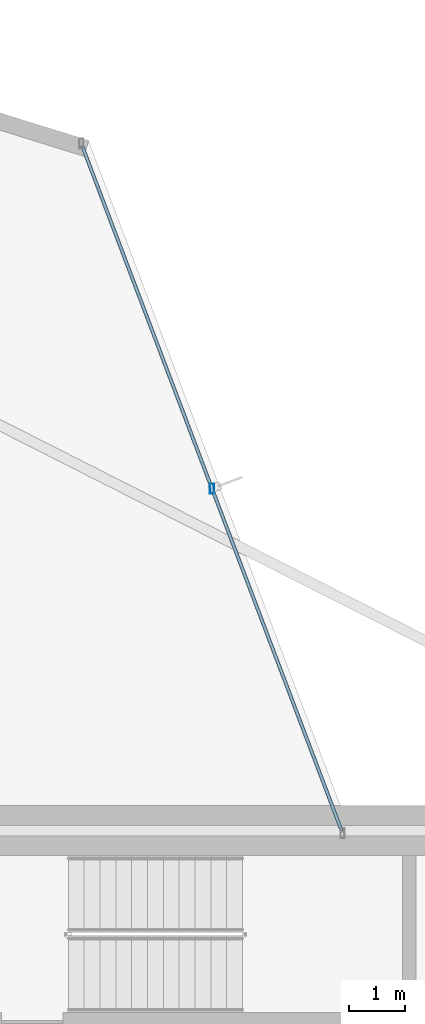
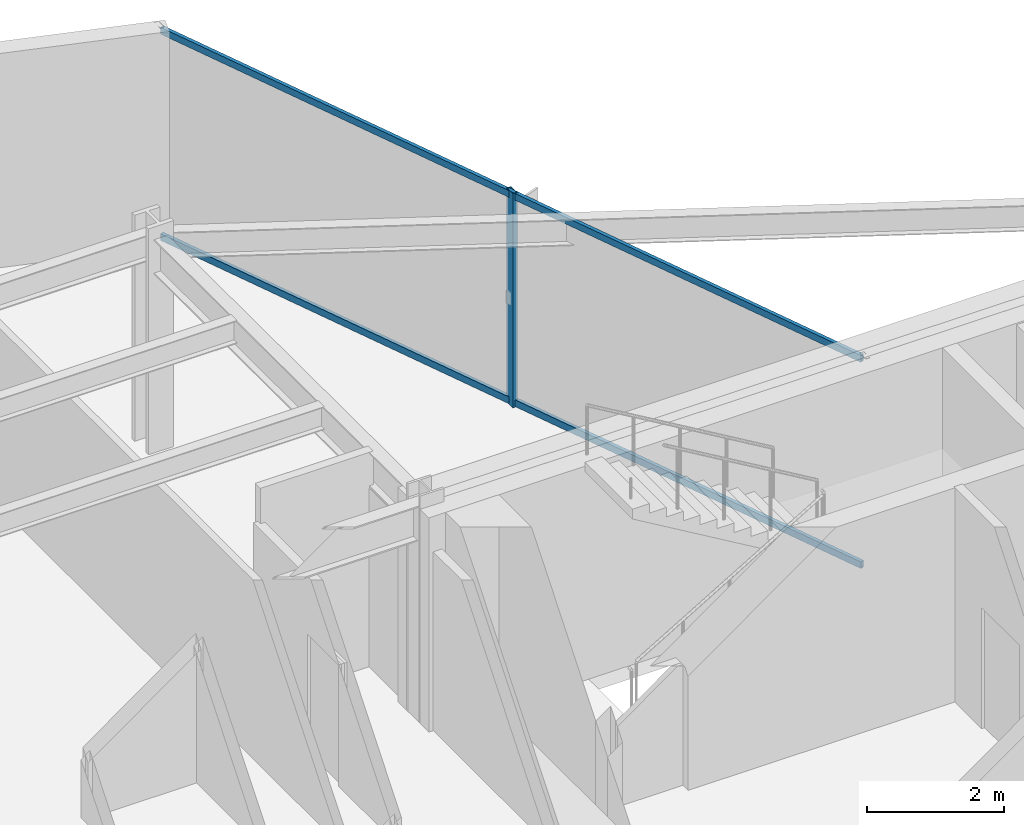
# One storey, part 20 of 29: 3 members, 1 element without a shape of its own.
"""IFC4 building model written with IfcOpenShell, lengths in metres."""

from ifc_helpers import new_model, si_unit, direction, frame, origin, origin_2d, place, context, subcontext, project, spatial, hollow_rectangle, extrude, material, layer, layer_set, material_profile, profile_set, type_object, element, aggregate, save


model = new_model("IFC4")

# Units and contexts
model_context = context("Model", 3, precision=1e-05, world=origin(), true_north=direction((0.0, 1.0)))
body_context = subcontext(model_context, "Body", "Model", "MODEL_VIEW")
ifc_project = project(units=[si_unit("LENGTHUNIT", "METRE"), si_unit("AREAUNIT", "SQUARE_METRE"), si_unit("VOLUMEUNIT", "CUBIC_METRE"), si_unit("PLANEANGLEUNIT", "RADIAN"), si_unit("MASSUNIT", "GRAM", prefix="KILO")], contexts=[model_context])

# Site, building, storey
site_placement = place(None, origin())
site = spatial("IfcSite", under=ifc_project, at=site_placement, CompositionType="ELEMENT")
building_placement = place(site_placement, origin())
building = spatial("IfcBuilding", under=site, at=building_placement, Name="Veymaron Broadcast Tower", CompositionType="ELEMENT")
storey_placement = place(building_placement, frame((0.0, 0.0, 41.85009765625)))
storey = spatial("IfcBuildingStorey", under=building, at=storey_placement, Name="L08", CompositionType="ELEMENT", Elevation=41.85009765625)

# Curtain wall, members
ifc_material_1 = material(Name="Anodised aluminium AA 6063-T6 and laminated low-E dark glass", Category="aluminium")
ifc_layer = layer(ifc_material_1, 0.179931640625)
ifc_layer_set = layer_set([ifc_layer], Name="Anodised aluminium AA 6063-T6 and laminated low-E dark glass")
curtain_wall_type = type_object("IfcCurtainWallType", Name="CW-SYS-02", PredefinedType="NOTDEFINED", material=ifc_layer_set)
curtain_wall_placement = place(storey_placement, origin())
curtain_wall = element("IfcCurtainWall", 1, at=curtain_wall_placement, inside=storey, type_object=curtain_wall_type, Name="L08 dark-glass curtain wall CW-L08-E5-1", PredefinedType="NOTDEFINED")
ifc_material_2 = material(Name="Anodised aluminium AA 6063-T6", Category="aluminium")
ifc_material_profile_1 = material_profile(ifc_material_2, hollow_rectangle(XDim=0.074951171875, YDim=0.179931640625, WallThickness=0.0048828125, at=origin_2d()), Name="AL180X75X5")
ifc_profile_set_1 = profile_set([ifc_material_profile_1], Name="Anodised aluminium AA 6063-T6")
member_type_1 = type_object("IfcMemberType", Name="CW-MUL-02", PredefinedType="MULLION", material=ifc_profile_set_1)
member_1_placement = place(storey_placement, frame((44.014892578125, 38.157470703125, 0.0), z_axis=(0.0, 0.0, 1.0), x_axis=(1.0, 0.0, 0.0)))
member_1 = element("IfcMember", 2, at=member_1_placement, type_object=member_type_1, Name="CW-L08-E5-1 mullion 1", PredefinedType="MULLION", context=body_context, shape_type="SweptSolid", body=[
    extrude(hollow_rectangle(XDim=0.074951171875, YDim=0.179931640625, WallThickness=0.0048828125, at=origin_2d()), origin(), (0.0, 0.0, 1.0), 3.809814453125),
])
ifc_material_profile_2 = material_profile(ifc_material_2, hollow_rectangle(XDim=0.06005859375, YDim=0.1201171875, WallThickness=0.00390625, at=origin_2d()), Name="AL120X60X4")
ifc_profile_set_2 = profile_set([ifc_material_profile_2], Name="Anodised aluminium AA 6063-T6")
member_type_2 = type_object("IfcMemberType", Name="CW-TRN-02", PredefinedType="USERDEFINED", material=ifc_profile_set_2)
member_2_placement = place(storey_placement, frame((46.348388671875, 31.997314453125, 0.06982421875), z_axis=(-0.354240813024, 0.935154236684, 0.0), x_axis=(-0.935154236684, -0.354240813024, 0.0)))
member_2 = element("IfcMember", 3, at=member_2_placement, type_object=member_type_2, Name="CW-L08-E5-1 transom B", ObjectType="TRANSOM", PredefinedType="USERDEFINED", context=body_context, shape_type="SweptSolid", body=[
    extrude(hollow_rectangle(XDim=0.06005859375, YDim=0.1201171875, WallThickness=0.00390625, at=origin_2d()), origin(), (0.0, 0.0, 1.0), 13.174560546875),
])
member_3_placement = place(storey_placement, frame((46.348388671875, 31.997314453125, 3.739990234375), z_axis=(-0.354240813024, 0.935154236684, 0.0), x_axis=(-0.935154236684, -0.354240813024, 0.0)))
member_3 = element("IfcMember", 4, at=member_3_placement, type_object=member_type_2, Name="CW-L08-E5-1 transom T", ObjectType="TRANSOM", PredefinedType="USERDEFINED", context=body_context, shape_type="SweptSolid", body=[
    extrude(hollow_rectangle(XDim=0.06005859375, YDim=0.1201171875, WallThickness=0.00390625, at=origin_2d()), origin(), (0.0, 0.0, 1.0), 13.174560546875),
])
aggregate(curtain_wall, [member_1, member_2, member_3])

save(model, "model.ifc")
